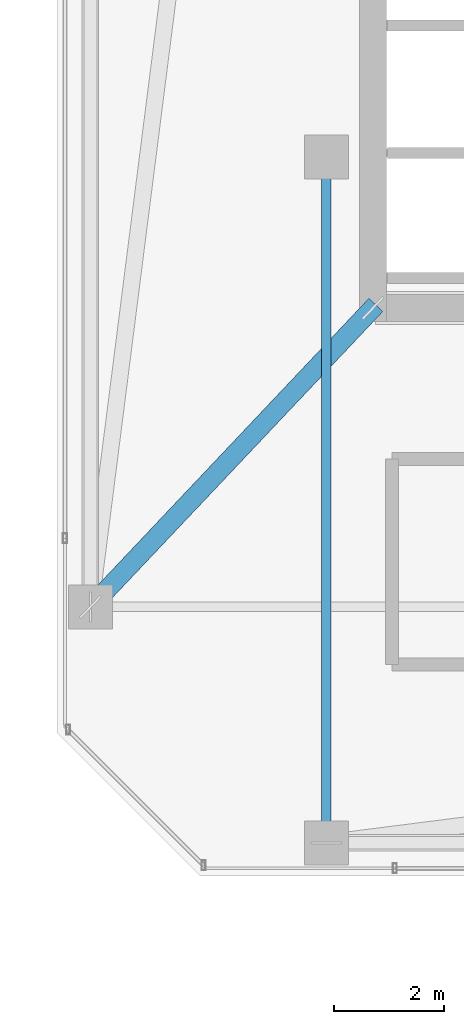
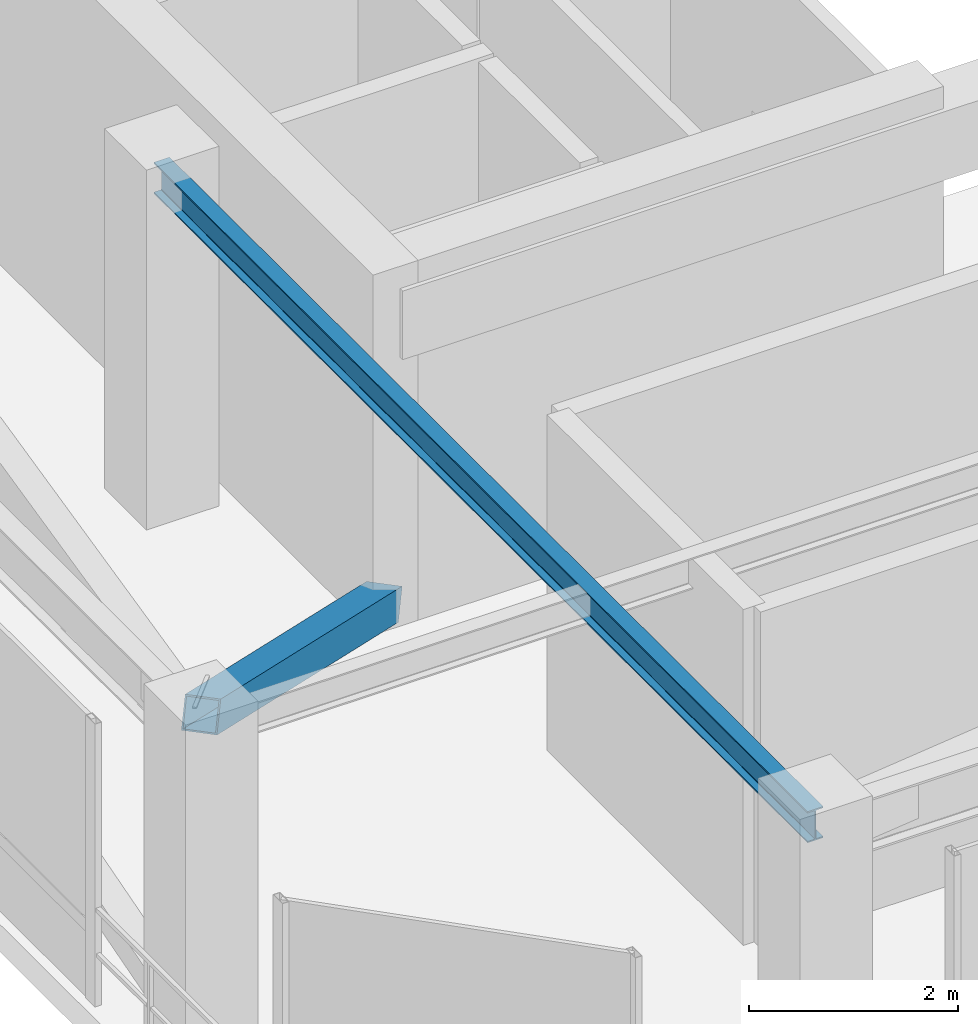
# One storey, part 26 of 47: 1 beam, 1 member.
"""IFC4 building model written with IfcOpenShell, lengths in metres."""

from ifc_helpers import new_model, si_unit, direction, frame, origin, origin_2d, place, context, subcontext, project, spatial, hollow_rectangle, i_section, extrude, material, material_profile, profile_set, type_object, element, save


model = new_model("IFC4")

# Units and contexts
model_context = context("Model", 3, precision=1e-05, world=origin(), true_north=direction((0.0, 1.0)))
body_context = subcontext(model_context, "Body", "Model", "MODEL_VIEW")
ifc_project = project(units=[si_unit("LENGTHUNIT", "METRE"), si_unit("AREAUNIT", "SQUARE_METRE"), si_unit("VOLUMEUNIT", "CUBIC_METRE"), si_unit("PLANEANGLEUNIT", "RADIAN"), si_unit("MASSUNIT", "GRAM", prefix="KILO")], contexts=[model_context])

# Site, building, storey
site_placement = place(None, origin())
site = spatial("IfcSite", under=ifc_project, at=site_placement, CompositionType="ELEMENT")
building_placement = place(site_placement, origin())
building = spatial("IfcBuilding", under=site, at=building_placement, Name="Thornwick Lancets Civic Towers", CompositionType="ELEMENT")
storey_placement = place(building_placement, frame((0.0, 0.0, 279.89990234375)))
storey = spatial("IfcBuildingStorey", under=building, at=storey_placement, Name="C01", CompositionType="ELEMENT", Elevation=279.89990234375)

# Beam
ifc_material_1 = material(Name="Steel S355JR", Category="steel")
ifc_material_profile_1 = material_profile(ifc_material_1, i_section(OverallWidth=0.173095703125, OverallDepth=0.36328125, WebThickness=0.009033203125, FlangeThickness=0.015625, FilletRadius=0.01025390625, at=origin_2d()), Name="UKB 356x171x67")
ifc_profile_set_1 = profile_set([ifc_material_profile_1], Name="Steel S355JR")
beam_type = type_object("IfcBeamType", Name="BM_JOIST_356_67", PredefinedType="JOIST", material=ifc_profile_set_1)
beam_placement = place(storey_placement, frame((75.5, 22.199951171875, 3.75830078125), z_axis=(0.0, -1.0, 0.0), x_axis=(1.0, 0.0, 0.0)))
element("IfcBeam", 1, at=beam_placement, inside=storey, type_object=beam_type, Name="BM-RADIN-C01-B12", PredefinedType="JOIST", context=body_context, shape_type="SweptSolid", body=[
    extrude(i_section(OverallWidth=0.173095703125, OverallDepth=0.36328125, WebThickness=0.009033203125, FlangeThickness=0.015625, FilletRadius=0.01025390625, at=origin_2d()), origin(), (0.0, 0.0, 1.0), 12.5),
])

# Member
ifc_material_2 = material(Name="Steel S460M", Category="steel")
ifc_material_profile_2 = material_profile(ifc_material_2, hollow_rectangle(XDim=0.35009765625, YDim=0.35009765625, WallThickness=0.01611328125, at=origin_2d()), Name="SHS 350x350x16")
ifc_profile_set_2 = profile_set([ifc_material_profile_2], Name="Steel S460M")
member_type = type_object("IfcMemberType", Name="MEM_OUTRIG_SHS350", PredefinedType="BRACE", material=ifc_profile_set_2)
member_placement = place(storey_placement, frame((76.35009765625, 19.449951171875, 0.150146484375), z_axis=(-0.612980761558, -0.648664116628, 0.451098048942), x_axis=(0.726815378038, -0.686832880872, 0.0)))
element("IfcMember", 2, at=member_placement, inside=storey, type_object=member_type, Name="C01 Outrigger Brace B-3", PredefinedType="BRACE", context=body_context, shape_type="SweptSolid", body=[
    extrude(hollow_rectangle(XDim=0.35009765625, YDim=0.35009765625, WallThickness=0.01611328125, at=origin_2d()), origin(), (0.0, 0.0, 1.0), 8.40185546875),
])

save(model, "model.ifc")
